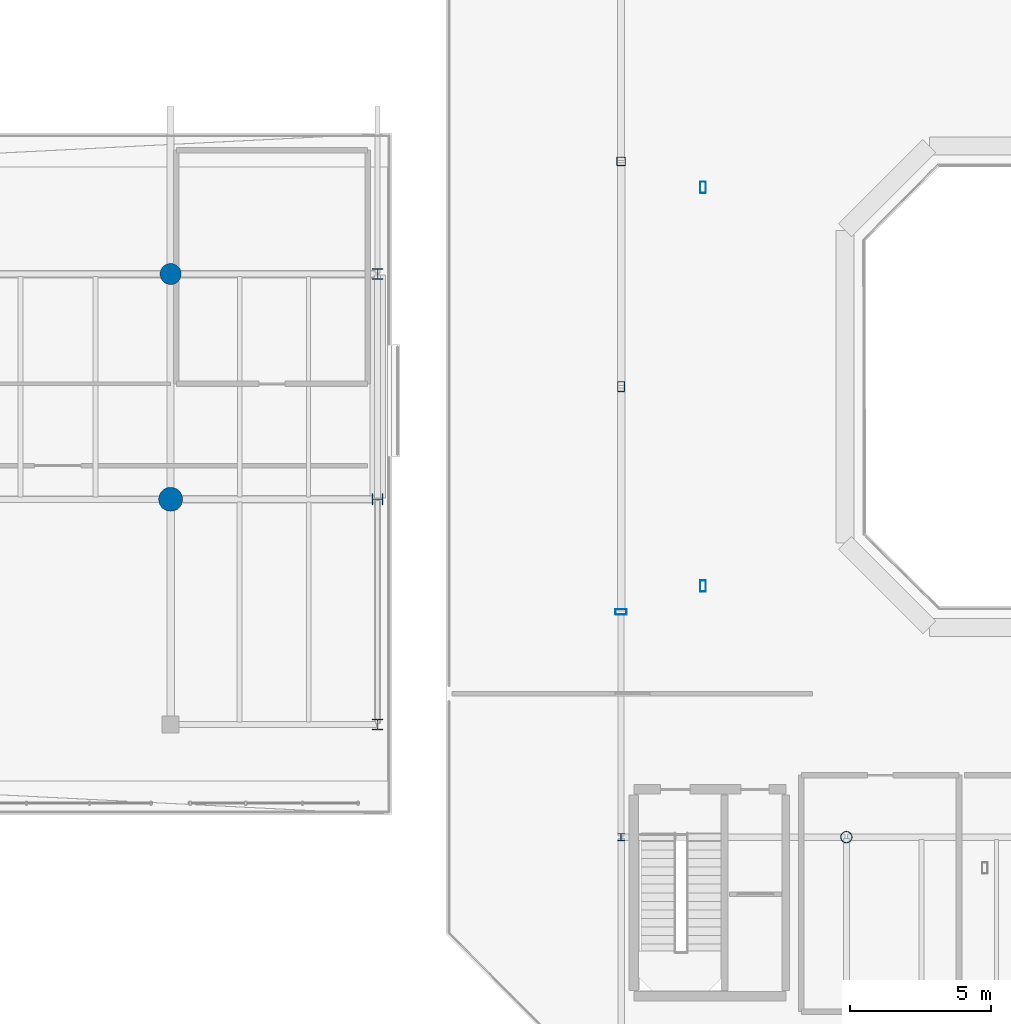
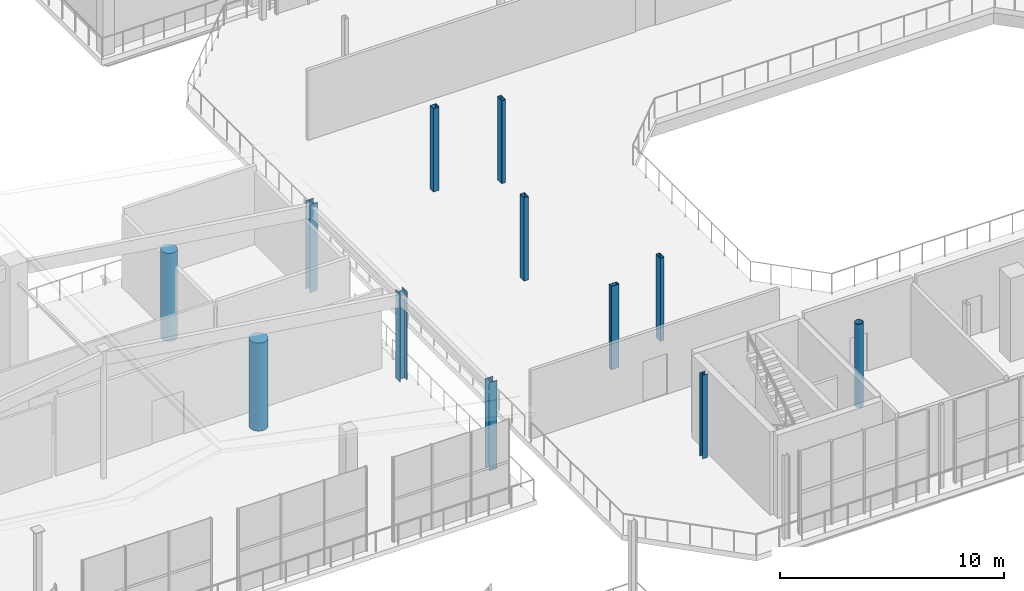
# One storey, part 7 of 70: 12 columns.
"""IFC4 building model written with IfcOpenShell, lengths in metres."""

import ifcopenshell
import ifcopenshell.guid

model = None  # the IFC model being written
_history = None  # IfcOwnerHistory: only IFC2X3 demands one
_inside = {}  # id of a spatial element -> (the spatial element, [elements in it])
_under = {}  # id of a project, library or spatial element -> (it, [spatial elements below it])
_declared = {}  # id of a project -> (the project, [libraries it declares])
_typed = {}  # id of a type object -> (the type object, [elements of that type])
_made_of = {}  # id of a material, layer set ... -> (it, [elements and type objects made of it])


def new_model(schema):
    """Start an empty IFC model of exactly this schema.

    Asked for "IFC4X3", IfcOpenShell would pick the latest addendum, in which some entities
    have other attributes; the version numbers below select the first issue.
    IFC2X3 requires an IfcOwnerHistory on every rooted entity: one is made here for all.
    """
    global model, _history
    if schema == "IFC4X3":
        model = ifcopenshell.file(schema_version=(4, 3, 0, 0))
    else:
        model = ifcopenshell.file(schema=schema)
    _inside.clear()
    _under.clear()
    _declared.clear()
    _typed.clear()
    _made_of.clear()
    _history = None
    if model.schema == "IFC2X3":
        org = make("IfcOrganization", Name="unknown")
        user = make(
            "IfcPersonAndOrganization",
            ThePerson=make("IfcPerson", FamilyName="unknown"),
            TheOrganization=org,
        )
        app = make(
            "IfcApplication",
            ApplicationDeveloper=org,
            Version="unknown",
            ApplicationFullName="unknown",
            ApplicationIdentifier="unknown",
        )
        _history = make(
            "IfcOwnerHistory",
            OwningUser=user,
            OwningApplication=app,
            ChangeAction="ADDED",
            CreationDate=0,
        )
    return model


def make(cls, **values):
    """One entity of the class cls with the attributes given. An attribute that is None is left unset."""
    return model.create_entity(
        cls, **{name: value for name, value in values.items() if value is not None}
    )


def rooted(cls, **values):
    """An entity with a GlobalId (a new one), such as an element, a storey or a relation."""
    return make(cls, GlobalId=ifcopenshell.guid.new(), OwnerHistory=_history, **values)


def si_unit(unit_type, name, prefix=None):
    """IfcSIUnit, for example si_unit("LENGTHUNIT", "METRE", prefix="MILLI")."""
    return make("IfcSIUnit", UnitType=unit_type, Prefix=prefix, Name=name)


def assignment(units):
    """IfcUnitAssignment: the units of a project."""
    return None if units is None else make("IfcUnitAssignment", Units=units)


def point(xyz):
    """IfcCartesianPoint."""
    return None if xyz is None else make("IfcCartesianPoint", Coordinates=xyz)


def direction(xyz):
    """IfcDirection."""
    return None if xyz is None else make("IfcDirection", DirectionRatios=xyz)


def frame(location, z_axis=None, x_axis=None):
    """IfcAxis2Placement3D, a coordinate frame: its origin and axes. An axis left out is left unset."""
    return make(
        "IfcAxis2Placement3D",
        Location=point(location),
        Axis=direction(z_axis),
        RefDirection=direction(x_axis),
    )


def frame_2d(location, x_axis=None):
    """IfcAxis2Placement2D, a coordinate frame in the plane: its origin and x axis."""
    return make(
        "IfcAxis2Placement2D", Location=point(location), RefDirection=direction(x_axis)
    )


def origin():
    """The frame at (0, 0, 0) with its axes left unset."""
    return frame((0.0, 0.0, 0.0))


def origin_2d():
    """The frame at (0, 0) in the plane with its x axis left unset."""
    return frame_2d((0.0, 0.0))


def place(relative_to, where):
    """IfcLocalPlacement: puts the frame where relative to a parent placement (None: the world)."""
    return make(
        "IfcLocalPlacement", PlacementRelTo=relative_to, RelativePlacement=where
    )


def context(
    kind, dimensions, precision=None, world=None, true_north=None, identifier=None
):
    """IfcGeometricRepresentationContext, for example the 3D "Model" context."""
    return make(
        "IfcGeometricRepresentationContext",
        ContextIdentifier=identifier,
        ContextType=kind,
        CoordinateSpaceDimension=dimensions,
        Precision=precision,
        WorldCoordinateSystem=world,
        TrueNorth=true_north,
    )


def subcontext(parent, identifier, kind, view, scale=None):
    """IfcGeometricRepresentationSubContext, for example "Body" below "Model"."""
    return make(
        "IfcGeometricRepresentationSubContext",
        ContextIdentifier=identifier,
        ContextType=kind,
        ParentContext=parent,
        TargetScale=scale,
        TargetView=view,
    )


def project(units=None, contexts=None):
    """IfcProject with its units and contexts."""
    return rooted(
        "IfcProject",
        Name="project",
        RepresentationContexts=contexts,
        UnitsInContext=assignment(units),
    )


def spatial(cls, under=None, at=None, **own):
    """A site, building, storey or space (cls), placed at a placement, below another one or the project."""
    s = rooted(cls, ObjectPlacement=at, **own)
    if under is not None:
        _under.setdefault(under.id(), (under, []))[1].append(s)
    return s


def profile(cls, at=None, kind="AREA", **sizes):
    """A parametric profile (cls). Its sizes go by their IFC names, for example OverallWidth=200.0."""
    return make(cls, ProfileType=kind, Position=at, **sizes)


def hollow_rectangle(**sizes):
    """IfcRectangleHollowProfileDef."""
    return profile("IfcRectangleHollowProfileDef", **sizes)


def circle(**sizes):
    """IfcCircleProfileDef."""
    return profile("IfcCircleProfileDef", **sizes)


def hollow_circle(**sizes):
    """IfcCircleHollowProfileDef."""
    return profile("IfcCircleHollowProfileDef", **sizes)


def i_section(**sizes):
    """IfcIShapeProfileDef."""
    return profile("IfcIShapeProfileDef", **sizes)


def extrude(swept, where, along, depth):
    """IfcExtrudedAreaSolid: the profile swept, set in the frame where, extruded along a direction by depth."""
    return make(
        "IfcExtrudedAreaSolid",
        SweptArea=swept,
        Position=where,
        ExtrudedDirection=direction(along),
        Depth=depth,
    )


def shape(context_of_items, identifier, shape_type, items):
    """IfcShapeRepresentation: the items that make up one representation, for example the "Body"."""
    return make(
        "IfcShapeRepresentation",
        ContextOfItems=context_of_items,
        RepresentationIdentifier=identifier,
        RepresentationType=shape_type,
        Items=items,
    )


def material(Name=None, Category=None):
    """IfcMaterial."""
    return make("IfcMaterial", Name=Name, Category=Category)


def material_profile(
    of_material, cross_section, Name=None, Category=None, Priority=None
):
    """IfcMaterialProfile: a cross section and its material."""
    return make(
        "IfcMaterialProfile",
        Name=Name,
        Material=of_material,
        Profile=cross_section,
        Priority=Priority,
        Category=Category,
    )


def profile_set(profiles, Name=None, composite=None):
    """IfcMaterialProfileSet."""
    return make(
        "IfcMaterialProfileSet",
        Name=Name,
        MaterialProfiles=profiles,
        CompositeProfile=composite,
    )


def made_of(thing, what):
    """Note that an element or type object is made of a material, layer set ...; save() writes the relation."""
    if what is not None:
        _made_of.setdefault(what.id(), (what, []))[1].append(thing)
    return thing


def type_object(cls, material=None, **own):
    """A type object (cls), such as IfcWallType, which elements share."""
    return made_of(rooted(cls, **own), material)


def element(
    cls,
    number,
    at=None,
    inside=None,
    cuts=None,
    type_object=None,
    material=None,
    context=None,
    identifier="Body",
    shape_type=None,
    held_by="IfcProductDefinitionShape",
    body=None,
    shapes=None,
    **own,
):
    """One element of the class cls, such as IfcWall. Its Tag is "e" and its number.

    at: its placement. inside: the storey or other place that contains it. cuts: it is an
    opening in that element (IfcRelVoidsElement). A single representation is given by context,
    identifier, shape_type and body (its items); several are given by shapes. held_by: the class
    of the entity that holds the representations. save() writes the other relations.
    """
    e = rooted(cls, Tag="e%d" % number, ObjectPlacement=at, **own)
    if body is not None:
        shapes = [shape(context, identifier, shape_type, body)]
    if shapes is not None:
        e.Representation = make(held_by, Representations=shapes)
    if inside is not None:
        _inside.setdefault(inside.id(), (inside, []))[1].append(e)
    if cuts is not None:
        rooted(
            "IfcRelVoidsElement", RelatingBuildingElement=cuts, RelatedOpeningElement=e
        )
    if type_object is not None:
        _typed.setdefault(type_object.id(), (type_object, []))[1].append(e)
    return made_of(e, material)


def aggregate(whole, parts):
    """IfcRelAggregates: a whole, such as a stair, and the parts it consists of."""
    return rooted("IfcRelAggregates", RelatingObject=whole, RelatedObjects=parts)


def save(model, path):
    """Write the relations noted so far, then the file.

    IfcRelAggregates (storeys below a building ...), IfcRelContainedInSpatialStructure (elements
    in a storey), IfcRelDefinesByType, IfcRelAssociatesMaterial and IfcRelDeclares: one each for
    every whole, place, type object, material and project.
    """
    for whole, parts in _under.values():
        aggregate(whole, parts)
    for where, things in _inside.values():
        rooted(
            "IfcRelContainedInSpatialStructure",
            RelatedElements=things,
            RelatingStructure=where,
        )
    for kind, things in _typed.values():
        rooted("IfcRelDefinesByType", RelatedObjects=things, RelatingType=kind)
    for what, things in _made_of.values():
        rooted("IfcRelAssociatesMaterial", RelatedObjects=things, RelatingMaterial=what)
    for by, libraries in _declared.values():
        rooted("IfcRelDeclares", RelatingContext=by, RelatedDefinitions=libraries)
    model.write(path)


model = new_model("IFC4")

# Units and contexts
model_context = context("Model", 3, precision=1e-05, world=origin(), true_north=direction((0.0, 1.0)))
body_context = subcontext(model_context, "Body", "Model", "MODEL_VIEW")
ifc_project = project(units=[si_unit("LENGTHUNIT", "METRE"), si_unit("AREAUNIT", "SQUARE_METRE"), si_unit("VOLUMEUNIT", "CUBIC_METRE"), si_unit("PLANEANGLEUNIT", "RADIAN"), si_unit("MASSUNIT", "GRAM", prefix="KILO")], contexts=[model_context])

# Site, building, storey
site_placement = place(None, origin())
site = spatial("IfcSite", under=ifc_project, at=site_placement, CompositionType="ELEMENT")
building_placement = place(site_placement, origin())
building = spatial("IfcBuilding", under=site, at=building_placement, Name="Brisemont Oceanarium", CompositionType="ELEMENT")
storey_placement = place(building_placement, frame((0.0, 0.0, 10.199951171875)))
storey = spatial("IfcBuildingStorey", under=building, at=storey_placement, Name="L02", CompositionType="ELEMENT", Elevation=10.199951171875)

# Columns
ifc_material_1 = material(Name="Structural Steel ASTM A500 Gr.C", Category="steel")
ifc_material_profile_1 = material_profile(ifc_material_1, hollow_circle(Radius=0.202880859375, WallThickness=0.01171875, at=origin_2d()), Name="HSS16.000X0.500")
ifc_profile_set_1 = profile_set([ifc_material_profile_1], Name="Structural Steel ASTM A500 Gr.C")
column_type_1 = type_object("IfcColumnType", Name="COL-CHS16", PredefinedType="COLUMN", material=ifc_profile_set_1)
column_1_placement = place(storey_placement, frame((72.0, 40.0, 0.0), z_axis=(0.0, 0.0, 1.0), x_axis=(0.0, 1.0, 0.0)))
element("IfcColumn", 1, at=column_1_placement, inside=storey, type_object=column_type_1, Name="V1 L02 column (2,1)", PredefinedType="COLUMN", context=body_context, shape_type="SweptSolid", body=[
    extrude(hollow_circle(Radius=0.202880859375, WallThickness=0.01171875, at=origin_2d()), origin(), (0.0, 0.0, 1.0), 4.5400390625),
])
ifc_material_2 = material(Name="Structural Steel ASTM A500 Gr.C", Category="steel")
ifc_material_profile_2 = material_profile(ifc_material_2, hollow_rectangle(XDim=0.304931640625, YDim=0.304931640625, WallThickness=0.01171875, InnerFilletRadius=0.01220703125, OuterFilletRadius=0.02392578125, at=origin_2d()), Name="HSS12X12X1/2")
ifc_profile_set_2 = profile_set([ifc_material_profile_2], Name="Structural Steel ASTM A500 Gr.C")
column_type_2 = type_object("IfcColumnType", Name="COL-HSS12X12", PredefinedType="COLUMN", material=ifc_profile_set_2)
column_2_placement = place(storey_placement, frame((64.0, 64.0, 0.0), z_axis=(0.0, 0.0, 1.0), x_axis=(0.0, 1.0, 0.0)))
element("IfcColumn", 2, at=column_2_placement, inside=storey, type_object=column_type_2, Name="V1 L02 column (1,4)", PredefinedType="COLUMN", context=body_context, shape_type="SweptSolid", body=[
    extrude(hollow_rectangle(XDim=0.304931640625, YDim=0.304931640625, WallThickness=0.01171875, InnerFilletRadius=0.01220703125, OuterFilletRadius=0.02392578125, at=origin_2d()), origin(), (0.0, 0.0, 1.0), 4.5400390625),
])
ifc_material_3 = material(Name="Structural Steel ASTM A500 Gr.C", Category="steel")
ifc_material_profile_3 = material_profile(ifc_material_3, hollow_rectangle(XDim=0.25390625, YDim=0.35595703125, WallThickness=0.01171875, InnerFilletRadius=0.01220703125, OuterFilletRadius=0.02392578125, at=origin_2d()), Name="HSS14X10X1/2")
ifc_profile_set_3 = profile_set([ifc_material_profile_3], Name="Structural Steel ASTM A500 Gr.C")
column_type_3 = type_object("IfcColumnType", Name="COL-HSS14X10", PredefinedType="COLUMN", material=ifc_profile_set_3)
column_3_placement = place(storey_placement, frame((64.0, 56.0, 0.0), z_axis=(0.0, 0.0, 1.0), x_axis=(1.0, 0.0, 0.0)))
element("IfcColumn", 3, at=column_3_placement, inside=storey, type_object=column_type_3, Name="V1 L02 column (1,3)", PredefinedType="COLUMN", context=body_context, shape_type="SweptSolid", body=[
    extrude(hollow_rectangle(XDim=0.25390625, YDim=0.35595703125, WallThickness=0.01171875, InnerFilletRadius=0.01220703125, OuterFilletRadius=0.02392578125, at=origin_2d()), origin(), (0.0, 0.0, 1.0), 4.5400390625),
])
ifc_material_4 = material(Name="Structural Steel ASTM A500 Gr.C", Category="steel")
ifc_material_profile_4 = material_profile(ifc_material_4, hollow_rectangle(XDim=0.202880859375, YDim=0.406005859375, WallThickness=0.01171875, InnerFilletRadius=0.01220703125, OuterFilletRadius=0.02392578125, at=origin_2d()), Name="HSS16X8X1/2")
ifc_profile_set_4 = profile_set([ifc_material_profile_4], Name="Structural Steel ASTM A500 Gr.C")
column_type_4 = type_object("IfcColumnType", Name="COL-HSS16X8", PredefinedType="COLUMN", material=ifc_profile_set_4)
column_4_placement = place(storey_placement, frame((64.0, 48.0, 0.0), z_axis=(0.0, 0.0, 1.0), x_axis=(0.0, 1.0, 0.0)))
element("IfcColumn", 4, at=column_4_placement, inside=storey, type_object=column_type_4, Name="V1 L02 column (1,2)", PredefinedType="COLUMN", context=body_context, shape_type="SweptSolid", body=[
    extrude(hollow_rectangle(XDim=0.202880859375, YDim=0.406005859375, WallThickness=0.01171875, InnerFilletRadius=0.01220703125, OuterFilletRadius=0.02392578125, at=origin_2d()), origin(), (0.0, 0.0, 1.0), 4.5400390625),
])
for number, where, z_axis, x_axis, name in (
    (5, (66.908203125, 63.07958984375, 0.0), (0.0, 0.0, 1.0), (1.0, 0.0, 0.0), "V1 dome drum pier L02.4"),
    (6, (66.908203125, 48.92041015625, 0.0), (0.0, 0.0, 1.0), (1.0, 0.0, 0.0), "V1 dome drum pier L02.5"),
):
    element("IfcColumn", number, at=place(storey_placement, frame(where, z_axis=z_axis, x_axis=x_axis)), inside=storey, type_object=column_type_4, Name=name, PredefinedType="COLUMN", context=body_context, shape_type="SweptSolid", body=[
        extrude(hollow_rectangle(XDim=0.202880859375, YDim=0.406005859375, WallThickness=0.01171875, InnerFilletRadius=0.01220703125, OuterFilletRadius=0.02392578125, at=origin_2d()), origin(), (0.0, 0.0, 1.0), 4.52001953125),
    ])
ifc_material_5 = material(Name="Concrete C40/50", Category="concrete")
ifc_material_profile_5 = material_profile(ifc_material_5, circle(Radius=0.375, at=origin_2d()), Name="RC-COL-D750")
ifc_profile_set_5 = profile_set([ifc_material_profile_5], Name="Concrete C40/50")
column_type_5 = type_object("IfcColumnType", Name="COL-RCD750", PredefinedType="COLUMN", material=ifc_profile_set_5)
column_5_placement = place(storey_placement, frame((48.0, 60.0, 0.0), z_axis=(0.0, 0.0, 1.0), x_axis=(0.0, 1.0, 0.0)))
element("IfcColumn", 7, at=column_5_placement, inside=storey, type_object=column_type_5, Name="V5W L02 column (4,3)", PredefinedType="COLUMN", context=body_context, shape_type="SweptSolid", body=[
    extrude(circle(Radius=0.375, at=origin_2d()), origin(), (0.0, 0.0, 1.0), 4.800048828125),
])
ifc_material_6 = material(Name="Concrete C40/50", Category="concrete")
ifc_material_profile_6 = material_profile(ifc_material_6, circle(Radius=0.425048828125, at=origin_2d()), Name="RC-COL-D850")
ifc_profile_set_6 = profile_set([ifc_material_profile_6], Name="Concrete C40/50")
column_type_6 = type_object("IfcColumnType", Name="COL-RCD850", PredefinedType="COLUMN", material=ifc_profile_set_6)
column_6_placement = place(storey_placement, frame((48.0, 52.0, 0.0), z_axis=(0.0, 0.0, 1.0), x_axis=(1.0, 0.0, 0.0)))
element("IfcColumn", 8, at=column_6_placement, inside=storey, type_object=column_type_6, Name="V5W L02 column (4,2)", PredefinedType="COLUMN", context=body_context, shape_type="SweptSolid", body=[
    extrude(circle(Radius=0.425048828125, at=origin_2d()), origin(), (0.0, 0.0, 1.0), 4.800048828125),
])
ifc_material_7 = material(Name="Structural Steel ASTM A992 Gr.50", Category="steel")
ifc_material_profile_7 = material_profile(ifc_material_7, i_section(OverallWidth=0.25390625, OverallDepth=0.25390625, WebThickness=0.008544921875, FlangeThickness=0.01416015625, FilletRadius=0.010986328125, at=origin_2d()), Name="W10X49")
ifc_profile_set_7 = profile_set([ifc_material_profile_7], Name="Structural Steel ASTM A992 Gr.50")
column_type_7 = type_object("IfcColumnType", Name="COL-W10X49", PredefinedType="COLUMN", material=ifc_profile_set_7)
column_7_placement = place(storey_placement, frame((64.0, 40.0, 0.0), z_axis=(0.0, 0.0, 1.0), x_axis=(1.0, 0.0, 0.0)))
element("IfcColumn", 9, at=column_7_placement, inside=storey, type_object=column_type_7, Name="V1 L02 column (1,1)", PredefinedType="COLUMN", context=body_context, shape_type="SweptSolid", body=[
    extrude(i_section(OverallWidth=0.25390625, OverallDepth=0.25390625, WebThickness=0.008544921875, FlangeThickness=0.01416015625, FilletRadius=0.010986328125, at=origin_2d()), origin(), (0.0, 0.0, 1.0), 4.5400390625),
])
ifc_material_8 = material(Name="Structural Steel ASTM A992 Gr.50", Category="steel")
ifc_material_profile_8 = material_profile(ifc_material_8, i_section(OverallWidth=0.39501953125, OverallDepth=0.3798828125, WebThickness=0.018798828125, FlangeThickness=0.0302734375, FilletRadius=0.014892578125, at=origin_2d()), Name="W14X159")
ifc_profile_set_8 = profile_set([ifc_material_profile_8], Name="Structural Steel ASTM A992 Gr.50")
column_type_8 = type_object("IfcColumnType", Name="COL-W14X159", PredefinedType="COLUMN", material=ifc_profile_set_8)
column_8_placement = place(storey_placement, frame((55.35009765625, 60.0, 0.0), z_axis=(0.0, 0.0, 1.0), x_axis=(1.0, 0.0, 0.0)))
element("IfcColumn", 10, at=column_8_placement, inside=storey, type_object=column_type_8, Name="V5W L02 column (5,3)", PredefinedType="COLUMN", context=body_context, shape_type="SweptSolid", body=[
    extrude(i_section(OverallWidth=0.39501953125, OverallDepth=0.3798828125, WebThickness=0.018798828125, FlangeThickness=0.0302734375, FilletRadius=0.014892578125, at=origin_2d()), origin(), (0.0, 0.0, 1.0), 4.800048828125),
])
ifc_material_9 = material(Name="Structural Steel ASTM A992 Gr.50", Category="steel")
ifc_material_profile_9 = material_profile(ifc_material_9, i_section(OverallWidth=0.39892578125, OverallDepth=0.385986328125, WebThickness=0.02099609375, FlangeThickness=0.033203125, FilletRadius=0.014892578125, at=origin_2d()), Name="W14X176")
ifc_profile_set_9 = profile_set([ifc_material_profile_9], Name="Structural Steel ASTM A992 Gr.50")
column_type_9 = type_object("IfcColumnType", Name="COL-W14X176", PredefinedType="COLUMN", material=ifc_profile_set_9)
column_9_placement = place(storey_placement, frame((55.35009765625, 52.0, 0.0), z_axis=(0.0, 0.0, 1.0), x_axis=(0.0, 1.0, 0.0)))
element("IfcColumn", 11, at=column_9_placement, inside=storey, type_object=column_type_9, Name="V5W L02 column (5,2)", PredefinedType="COLUMN", context=body_context, shape_type="SweptSolid", body=[
    extrude(i_section(OverallWidth=0.39892578125, OverallDepth=0.385986328125, WebThickness=0.02099609375, FlangeThickness=0.033203125, FilletRadius=0.014892578125, at=origin_2d()), origin(), (0.0, 0.0, 1.0), 4.800048828125),
])
ifc_material_10 = material(Name="Structural Steel ASTM A992 Gr.50", Category="steel")
ifc_material_profile_10 = material_profile(ifc_material_10, i_section(OverallWidth=0.39990234375, OverallDepth=0.39306640625, WebThickness=0.022705078125, FlangeThickness=0.03662109375, FilletRadius=0.014892578125, at=origin_2d()), Name="W14X193")
ifc_profile_set_10 = profile_set([ifc_material_profile_10], Name="Structural Steel ASTM A992 Gr.50")
column_type_10 = type_object("IfcColumnType", Name="COL-W14X193", PredefinedType="COLUMN", material=ifc_profile_set_10)
column_10_placement = place(storey_placement, frame((55.35009765625, 44.0, 0.0), z_axis=(0.0, 0.0, 1.0), x_axis=(1.0, 0.0, 0.0)))
element("IfcColumn", 12, at=column_10_placement, inside=storey, type_object=column_type_10, Name="V5W L02 column (5,1)", PredefinedType="COLUMN", context=body_context, shape_type="SweptSolid", body=[
    extrude(i_section(OverallWidth=0.39990234375, OverallDepth=0.39306640625, WebThickness=0.022705078125, FlangeThickness=0.03662109375, FilletRadius=0.014892578125, at=origin_2d()), origin(), (0.0, 0.0, 1.0), 4.800048828125),
])

save(model, "model.ifc")
